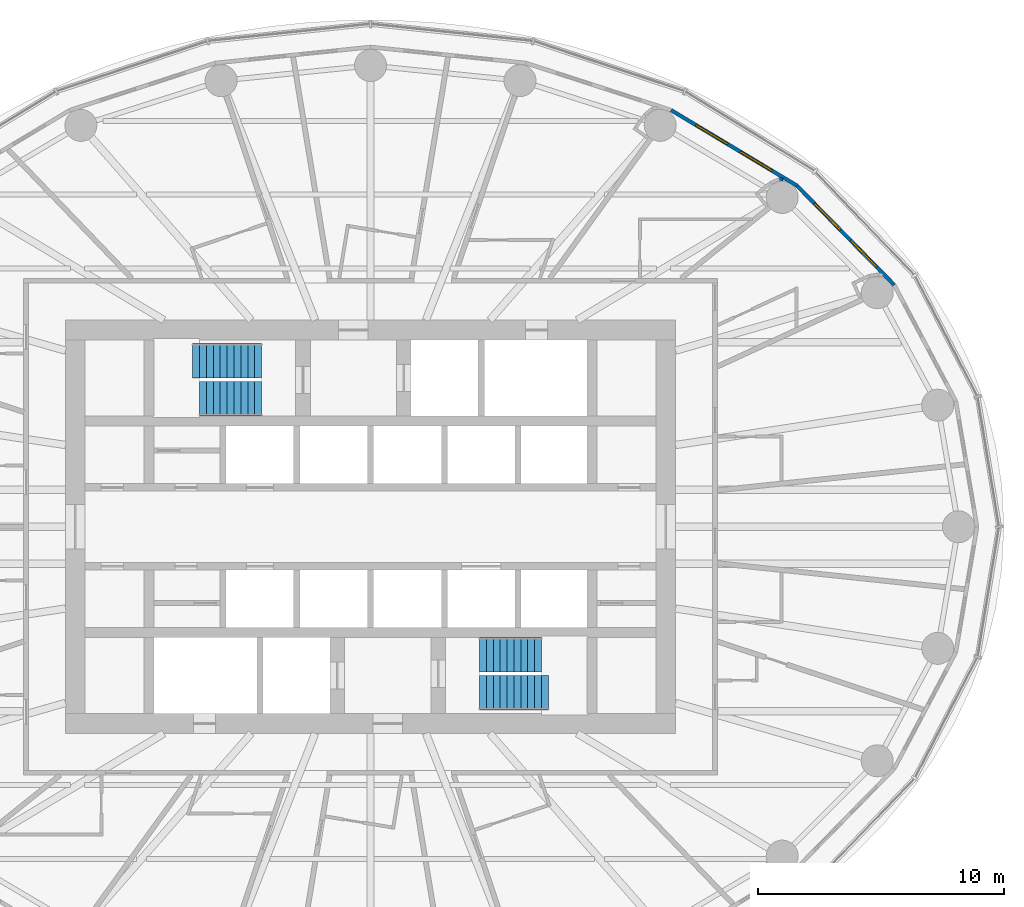
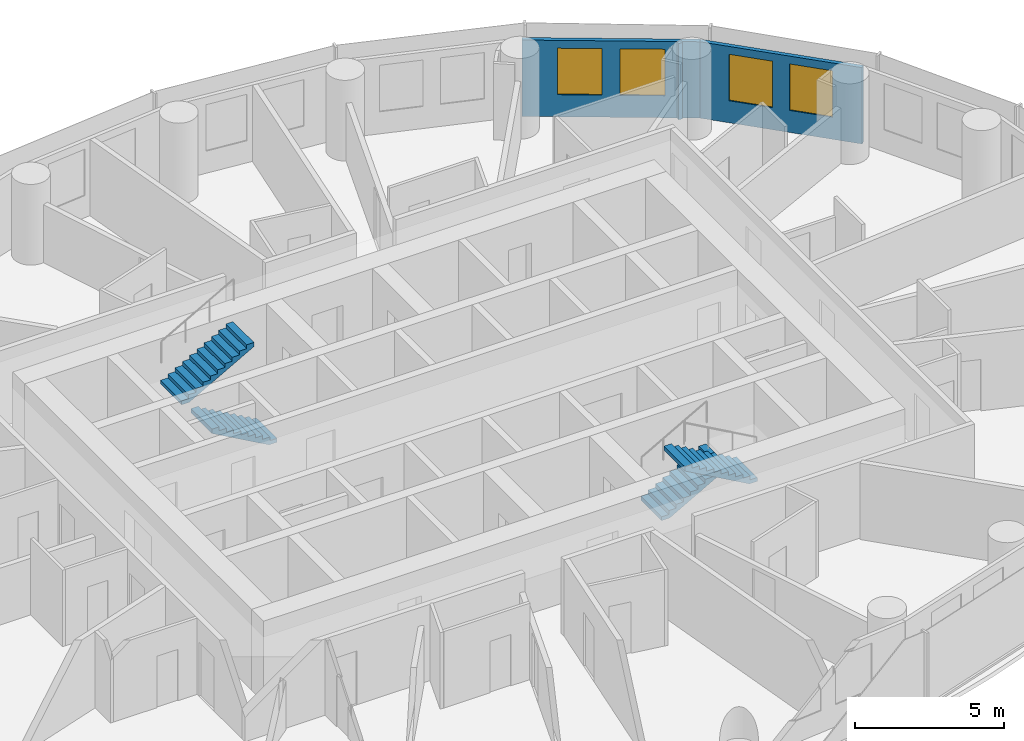
# One storey, part 12 of 13: 4 stair flights, 4 windows, 3 walls, 4 openings, 2 elements without a shape of their own.
"""IFC4 building model written with IfcOpenShell, lengths in metres."""

import ifcopenshell
import ifcopenshell.guid

model = None  # the IFC model being written
_history = None  # IfcOwnerHistory: only IFC2X3 demands one
_inside = {}  # id of a spatial element -> (the spatial element, [elements in it])
_under = {}  # id of a project, library or spatial element -> (it, [spatial elements below it])
_declared = {}  # id of a project -> (the project, [libraries it declares])
_typed = {}  # id of a type object -> (the type object, [elements of that type])
_made_of = {}  # id of a material, layer set ... -> (it, [elements and type objects made of it])


def new_model(schema):
    """Start an empty IFC model of exactly this schema.

    Asked for "IFC4X3", IfcOpenShell would pick the latest addendum, in which some entities
    have other attributes; the version numbers below select the first issue.
    IFC2X3 requires an IfcOwnerHistory on every rooted entity: one is made here for all.
    """
    global model, _history
    if schema == "IFC4X3":
        model = ifcopenshell.file(schema_version=(4, 3, 0, 0))
    else:
        model = ifcopenshell.file(schema=schema)
    _inside.clear()
    _under.clear()
    _declared.clear()
    _typed.clear()
    _made_of.clear()
    _history = None
    if model.schema == "IFC2X3":
        org = make("IfcOrganization", Name="unknown")
        user = make(
            "IfcPersonAndOrganization",
            ThePerson=make("IfcPerson", FamilyName="unknown"),
            TheOrganization=org,
        )
        app = make(
            "IfcApplication",
            ApplicationDeveloper=org,
            Version="unknown",
            ApplicationFullName="unknown",
            ApplicationIdentifier="unknown",
        )
        _history = make(
            "IfcOwnerHistory",
            OwningUser=user,
            OwningApplication=app,
            ChangeAction="ADDED",
            CreationDate=0,
        )
    return model


def make(cls, **values):
    """One entity of the class cls with the attributes given. An attribute that is None is left unset."""
    return model.create_entity(
        cls, **{name: value for name, value in values.items() if value is not None}
    )


def rooted(cls, **values):
    """An entity with a GlobalId (a new one), such as an element, a storey or a relation."""
    return make(cls, GlobalId=ifcopenshell.guid.new(), OwnerHistory=_history, **values)


def si_unit(unit_type, name, prefix=None):
    """IfcSIUnit, for example si_unit("LENGTHUNIT", "METRE", prefix="MILLI")."""
    return make("IfcSIUnit", UnitType=unit_type, Prefix=prefix, Name=name)


def assignment(units):
    """IfcUnitAssignment: the units of a project."""
    return None if units is None else make("IfcUnitAssignment", Units=units)


def point(xyz):
    """IfcCartesianPoint."""
    return None if xyz is None else make("IfcCartesianPoint", Coordinates=xyz)


def direction(xyz):
    """IfcDirection."""
    return None if xyz is None else make("IfcDirection", DirectionRatios=xyz)


def frame(location, z_axis=None, x_axis=None):
    """IfcAxis2Placement3D, a coordinate frame: its origin and axes. An axis left out is left unset."""
    return make(
        "IfcAxis2Placement3D",
        Location=point(location),
        Axis=direction(z_axis),
        RefDirection=direction(x_axis),
    )


def frame_2d(location, x_axis=None):
    """IfcAxis2Placement2D, a coordinate frame in the plane: its origin and x axis."""
    return make(
        "IfcAxis2Placement2D", Location=point(location), RefDirection=direction(x_axis)
    )


def origin():
    """The frame at (0, 0, 0) with its axes left unset."""
    return frame((0.0, 0.0, 0.0))


def place(relative_to, where):
    """IfcLocalPlacement: puts the frame where relative to a parent placement (None: the world)."""
    return make(
        "IfcLocalPlacement", PlacementRelTo=relative_to, RelativePlacement=where
    )


def context(
    kind, dimensions, precision=None, world=None, true_north=None, identifier=None
):
    """IfcGeometricRepresentationContext, for example the 3D "Model" context."""
    return make(
        "IfcGeometricRepresentationContext",
        ContextIdentifier=identifier,
        ContextType=kind,
        CoordinateSpaceDimension=dimensions,
        Precision=precision,
        WorldCoordinateSystem=world,
        TrueNorth=true_north,
    )


def subcontext(parent, identifier, kind, view, scale=None):
    """IfcGeometricRepresentationSubContext, for example "Body" below "Model"."""
    return make(
        "IfcGeometricRepresentationSubContext",
        ContextIdentifier=identifier,
        ContextType=kind,
        ParentContext=parent,
        TargetScale=scale,
        TargetView=view,
    )


def project(units=None, contexts=None):
    """IfcProject with its units and contexts."""
    return rooted(
        "IfcProject",
        Name="project",
        RepresentationContexts=contexts,
        UnitsInContext=assignment(units),
    )


def spatial(cls, under=None, at=None, **own):
    """A site, building, storey or space (cls), placed at a placement, below another one or the project."""
    s = rooted(cls, ObjectPlacement=at, **own)
    if under is not None:
        _under.setdefault(under.id(), (under, []))[1].append(s)
    return s


def polyline(points):
    """IfcPolyline through the points."""
    return make("IfcPolyline", Points=[point(p) for p in points])


def profile(cls, at=None, kind="AREA", **sizes):
    """A parametric profile (cls). Its sizes go by their IFC names, for example OverallWidth=200.0."""
    return make(cls, ProfileType=kind, Position=at, **sizes)


def rectangle(**sizes):
    """IfcRectangleProfileDef."""
    return profile("IfcRectangleProfileDef", **sizes)


def outline(outer, holes=None, kind="AREA"):
    """IfcArbitraryClosedProfileDef: a profile drawn as a closed curve; with holes, ...WithVoids."""
    if holes is None:
        return make("IfcArbitraryClosedProfileDef", ProfileType=kind, OuterCurve=outer)
    return make(
        "IfcArbitraryProfileDefWithVoids",
        ProfileType=kind,
        OuterCurve=outer,
        InnerCurves=holes,
    )


def extrude(swept, where, along, depth):
    """IfcExtrudedAreaSolid: the profile swept, set in the frame where, extruded along a direction by depth."""
    return make(
        "IfcExtrudedAreaSolid",
        SweptArea=swept,
        Position=where,
        ExtrudedDirection=direction(along),
        Depth=depth,
    )


def shape(context_of_items, identifier, shape_type, items):
    """IfcShapeRepresentation: the items that make up one representation, for example the "Body"."""
    return make(
        "IfcShapeRepresentation",
        ContextOfItems=context_of_items,
        RepresentationIdentifier=identifier,
        RepresentationType=shape_type,
        Items=items,
    )


def material(Name=None, Category=None):
    """IfcMaterial."""
    return make("IfcMaterial", Name=Name, Category=Category)


def layer(
    of_material, thickness, ventilated=None, Name=None, Category=None, Priority=None
):
    """IfcMaterialLayer: one layer of a wall or slab, of a material (None: an air gap)."""
    return make(
        "IfcMaterialLayer",
        Material=of_material,
        LayerThickness=thickness,
        IsVentilated=ventilated,
        Name=Name,
        Category=Category,
        Priority=Priority,
    )


def layer_set(layers, Name=None):
    """IfcMaterialLayerSet."""
    return make("IfcMaterialLayerSet", MaterialLayers=layers, LayerSetName=Name)


def made_of(thing, what):
    """Note that an element or type object is made of a material, layer set ...; save() writes the relation."""
    if what is not None:
        _made_of.setdefault(what.id(), (what, []))[1].append(thing)
    return thing


def type_object(cls, material=None, **own):
    """A type object (cls), such as IfcWallType, which elements share."""
    return made_of(rooted(cls, **own), material)


def element(
    cls,
    number,
    at=None,
    inside=None,
    cuts=None,
    type_object=None,
    material=None,
    context=None,
    identifier="Body",
    shape_type=None,
    held_by="IfcProductDefinitionShape",
    body=None,
    shapes=None,
    **own,
):
    """One element of the class cls, such as IfcWall. Its Tag is "e" and its number.

    at: its placement. inside: the storey or other place that contains it. cuts: it is an
    opening in that element (IfcRelVoidsElement). A single representation is given by context,
    identifier, shape_type and body (its items); several are given by shapes. held_by: the class
    of the entity that holds the representations. save() writes the other relations.
    """
    e = rooted(cls, Tag="e%d" % number, ObjectPlacement=at, **own)
    if body is not None:
        shapes = [shape(context, identifier, shape_type, body)]
    if shapes is not None:
        e.Representation = make(held_by, Representations=shapes)
    if inside is not None:
        _inside.setdefault(inside.id(), (inside, []))[1].append(e)
    if cuts is not None:
        rooted(
            "IfcRelVoidsElement", RelatingBuildingElement=cuts, RelatedOpeningElement=e
        )
    if type_object is not None:
        _typed.setdefault(type_object.id(), (type_object, []))[1].append(e)
    return made_of(e, material)


def fill(opening, filler):
    """IfcRelFillsElement: the door or window that sits in an opening."""
    return rooted(
        "IfcRelFillsElement",
        RelatingOpeningElement=opening,
        RelatedBuildingElement=filler,
    )


def aggregate(whole, parts):
    """IfcRelAggregates: a whole, such as a stair, and the parts it consists of."""
    return rooted("IfcRelAggregates", RelatingObject=whole, RelatedObjects=parts)


def save(model, path):
    """Write the relations noted so far, then the file.

    IfcRelAggregates (storeys below a building ...), IfcRelContainedInSpatialStructure (elements
    in a storey), IfcRelDefinesByType, IfcRelAssociatesMaterial and IfcRelDeclares: one each for
    every whole, place, type object, material and project.
    """
    for whole, parts in _under.values():
        aggregate(whole, parts)
    for where, things in _inside.values():
        rooted(
            "IfcRelContainedInSpatialStructure",
            RelatedElements=things,
            RelatingStructure=where,
        )
    for kind, things in _typed.values():
        rooted("IfcRelDefinesByType", RelatedObjects=things, RelatingType=kind)
    for what, things in _made_of.values():
        rooted("IfcRelAssociatesMaterial", RelatedObjects=things, RelatingMaterial=what)
    for by, libraries in _declared.values():
        rooted("IfcRelDeclares", RelatingContext=by, RelatedDefinitions=libraries)
    model.write(path)


model = new_model("IFC4")

# Units and contexts
model_context = context("Model", 3, precision=1e-05, world=origin(), true_north=direction((0.0, 1.0)))
body_context = subcontext(model_context, "Body", "Model", "MODEL_VIEW")
ifc_project = project(units=[si_unit("LENGTHUNIT", "METRE"), si_unit("AREAUNIT", "SQUARE_METRE"), si_unit("VOLUMEUNIT", "CUBIC_METRE"), si_unit("PLANEANGLEUNIT", "RADIAN"), si_unit("MASSUNIT", "GRAM", prefix="KILO")], contexts=[model_context])

# Site, building, storey
site_placement = place(None, origin())
site = spatial("IfcSite", under=ifc_project, at=site_placement, CompositionType="ELEMENT")
building_placement = place(site_placement, origin())
building = spatial("IfcBuilding", under=site, at=building_placement, Name="Hankou Lantern Tower", CompositionType="ELEMENT")
storey_placement = place(building_placement, frame((0.0, 0.0, 122.10009765625)))
storey = spatial("IfcBuildingStorey", under=building, at=storey_placement, Name="L31", CompositionType="ELEMENT", Elevation=122.10009765625)

# Wall, openings, windows
ifc_material_1 = material(Name="Aluminium spandrel panel on steel studs", Category="steel")
ifc_layer_1 = layer(ifc_material_1, 0.14990234375)
ifc_layer_set_1 = layer_set([ifc_layer_1], Name="Aluminium spandrel panel on steel studs")
wall_type_1 = type_object("IfcWallType", Name="EW1 INNER SKIN WALL 150", PredefinedType="ELEMENTEDWALL", material=ifc_layer_set_1)
wall_1_placement = place(storey_placement, frame((21.287353515625, 9.83203125, 0.0), z_axis=(0.0, 0.0, 1.0), x_axis=(-0.700136650834, 0.714008872605, 0.0)))
wall_1 = element("IfcWall", 1, at=wall_1_placement, inside=storey, type_object=wall_type_1, Name="Inner skin R03-R04 L31", PredefinedType="ELEMENTEDWALL", context=body_context, shape_type="SweptSolid", body=[
    extrude(rectangle(XDim=5.6494140625, YDim=0.14990234375, at=frame_2d((2.82470703125, 0.0))), origin(), (0.0, 0.0, 1.0), 3.119873046875),
])
opening_1_placement = place(wall_1_placement, frame((1.024658203125, 0.0, 0.89990234375)))
opening_1 = element("IfcOpeningElement", 2, at=opening_1_placement, cuts=wall_1, Name="Opening W2", PredefinedType="OPENING", context=body_context, shape_type="SweptSolid", body=[
    extrude(rectangle(XDim=1.5, YDim=1.89990234375, at=frame_2d((0.75, 0.949951171875))), frame((0.0, 0.0849609375, 0.0), z_axis=(0.0, -1.0, 0.0), x_axis=(1.0, 0.0, 0.0)), (0.0, 0.0, 1.0), 0.169921875),
])
opening_2_placement = place(wall_1_placement, frame((3.12451171875, 0.0, 0.89990234375)))
opening_2 = element("IfcOpeningElement", 3, at=opening_2_placement, cuts=wall_1, Name="Opening W2", PredefinedType="OPENING", context=body_context, shape_type="SweptSolid", body=[
    extrude(rectangle(XDim=1.5, YDim=1.89990234375, at=frame_2d((0.75, 0.949951171875))), frame((0.0, 0.0849609375, 0.0), z_axis=(0.0, -1.0, 0.0), x_axis=(1.0, 0.0, 0.0)), (0.0, 0.0, 1.0), 0.169921875),
])
ifc_material_2 = material(Name="Aluminium framed double glazed window", Category="aluminium")
window_type = type_object("IfcWindowType", Name="W2 GUEST ROOM WINDOW 1500X1900", PartitioningType="DOUBLE_PANEL_VERTICAL", PredefinedType="WINDOW", material=ifc_material_2)
window_1_placement = place(opening_1_placement, origin())
window_1 = element("IfcWindow", 4, at=window_1_placement, inside=storey, type_object=window_type, Name="Window R03.1 L31", OverallHeight=1.89990234375, OverallWidth=1.5, PartitioningType="SINGLE_PANEL", PredefinedType="WINDOW", context=body_context, shape_type="SweptSolid", body=[
    extrude(rectangle(XDim=1.5, YDim=1.89990234375, at=frame_2d((0.75, 0.949951171875))), frame((0.0, 0.030029296875, 0.0), z_axis=(0.0, -1.0, 0.0), x_axis=(1.0, 0.0, 0.0)), (0.0, 0.0, 1.0), 0.06005859375),
])
fill(opening_1, window_1)
window_2_placement = place(opening_2_placement, origin())
window_2 = element("IfcWindow", 5, at=window_2_placement, inside=storey, type_object=window_type, Name="Window R03.2 L31", OverallHeight=1.89990234375, OverallWidth=1.5, PartitioningType="SINGLE_PANEL", PredefinedType="WINDOW", context=body_context, shape_type="SweptSolid", body=[
    extrude(rectangle(XDim=1.5, YDim=1.89990234375, at=frame_2d((0.75, 0.949951171875))), frame((0.0, 0.030029296875, 0.0), z_axis=(0.0, -1.0, 0.0), x_axis=(1.0, 0.0, 0.0)), (0.0, 0.0, 1.0), 0.06005859375),
])
fill(opening_2, window_2)

wall_2_placement = place(storey_placement, frame((17.33203125, 13.86572265625, 0.0), z_axis=(0.0, 0.0, 1.0), x_axis=(-0.857308573723, 0.514802884044, 0.0)))
wall_2 = element("IfcWall", 6, at=wall_2_placement, inside=storey, type_object=wall_type_1, Name="Inner skin R04-R05 L31", PredefinedType="ELEMENTEDWALL", context=body_context, shape_type="SweptSolid", body=[
    extrude(rectangle(XDim=5.961181640625, YDim=0.14990234375, at=frame_2d((2.98046875, 0.0))), origin(), (0.0, 0.0, 1.0), 3.119873046875),
])
opening_3_placement = place(wall_2_placement, frame((1.1806640625, 0.0, 0.89990234375)))
opening_3 = element("IfcOpeningElement", 7, at=opening_3_placement, cuts=wall_2, Name="Opening W2", PredefinedType="OPENING", context=body_context, shape_type="SweptSolid", body=[
    extrude(rectangle(XDim=1.5, YDim=1.89990234375, at=frame_2d((0.75, 0.949951171875))), frame((0.0, 0.0849609375, 0.0), z_axis=(0.0, -1.0, 0.0), x_axis=(1.0, 0.0, 0.0)), (0.0, 0.0, 1.0), 0.169921875),
])
opening_4_placement = place(wall_2_placement, frame((3.280517578125, 0.0, 0.89990234375)))
opening_4 = element("IfcOpeningElement", 8, at=opening_4_placement, cuts=wall_2, Name="Opening W2", PredefinedType="OPENING", context=body_context, shape_type="SweptSolid", body=[
    extrude(rectangle(XDim=1.5, YDim=1.89990234375, at=frame_2d((0.75, 0.949951171875))), frame((0.0, 0.0849609375, 0.0), z_axis=(0.0, -1.0, 0.0), x_axis=(1.0, 0.0, 0.0)), (0.0, 0.0, 1.0), 0.169921875),
])
window_3_placement = place(opening_3_placement, origin())
window_3 = element("IfcWindow", 9, at=window_3_placement, inside=storey, type_object=window_type, Name="Window R04.1 L31", OverallHeight=1.89990234375, OverallWidth=1.5, PartitioningType="SINGLE_PANEL", PredefinedType="WINDOW", context=body_context, shape_type="SweptSolid", body=[
    extrude(rectangle(XDim=1.5, YDim=1.89990234375, at=frame_2d((0.75, 0.949951171875))), frame((0.0, 0.030029296875, 0.0), z_axis=(0.0, -1.0, 0.0), x_axis=(1.0, 0.0, 0.0)), (0.0, 0.0, 1.0), 0.06005859375),
])
fill(opening_3, window_3)
window_4_placement = place(opening_4_placement, origin())
window_4 = element("IfcWindow", 10, at=window_4_placement, inside=storey, type_object=window_type, Name="Window R04.2 L31", OverallHeight=1.89990234375, OverallWidth=1.5, PartitioningType="SINGLE_PANEL", PredefinedType="WINDOW", context=body_context, shape_type="SweptSolid", body=[
    extrude(rectangle(XDim=1.5, YDim=1.89990234375, at=frame_2d((0.75, 0.949951171875))), frame((0.0, 0.030029296875, 0.0), z_axis=(0.0, -1.0, 0.0), x_axis=(1.0, 0.0, 0.0)), (0.0, 0.0, 1.0), 0.06005859375),
])
fill(opening_4, window_4)

# Wall
ifc_material_3 = material(Name="Masonry lightweight concrete block", Category="masonry")
ifc_layer_2 = layer(ifc_material_3, 0.1201171875)
ifc_layer_set_2 = layer_set([ifc_layer_2], Name="Masonry lightweight concrete block")
wall_type_2 = type_object("IfcWallType", Name="IW4 PARTITION 120", PredefinedType="PARTITIONING", material=ifc_layer_set_2)
wall_3_placement = place(storey_placement, frame((16.6201171875, 14.13427734375, 0.0), z_axis=(0.0, 0.0, 1.0), x_axis=(0.993941871493, -0.109907033867, 0.0)))
element("IfcWall", 11, at=wall_3_placement, inside=storey, type_object=wall_type_2, Name="Column casing R04", PredefinedType="PARTITIONING", context=body_context, shape_type="SweptSolid", body=[
    extrude(rectangle(XDim=0.1533203125, YDim=0.1201171875, at=frame_2d((0.07666015625, 0.0))), origin(), (0.0, 0.0, 1.0), 3.119873046875),
])

# Stair, stair flight
ifc_material_4 = material(Name="Concrete C40", Category="concrete")
stair_type = type_object("IfcStairType", Name="ST33 CORE STAIR 3300 RISE", PredefinedType="HALF_TURN_STAIR", material=ifc_material_4)
stair_1_placement = place(storey_placement, origin())
stair_1 = element("IfcStair", 12, at=stair_1_placement, inside=storey, type_object=stair_type, Name="Stair STA L31", PredefinedType="HALF_TURN_STAIR")
ifc_material_5 = material(Name="Concrete C40", Category="concrete")
stair_flight_type_1 = type_object("IfcStairFlightType", Name="CF10 CORE STAIR FLIGHT 1400 X 10 RISERS", PredefinedType="STRAIGHT", material=ifc_material_5)
stair_flight_1_placement = place(storey_placement, frame((-4.429931640625, 5.199951171875, 0.0), z_axis=(0.0, 0.0, 1.0), x_axis=(-1.0, 0.0, 0.0)))
stair_flight_1 = element("IfcStairFlight", 13, at=stair_flight_1_placement, type_object=stair_flight_type_1, Name="STA flight 1", NumberOfRisers=10, NumberOfTreads=9, PredefinedType="STRAIGHT", RiserHeight=0.157142857, TreadLength=0.28, context=body_context, shape_type="SweptSolid", body=[
    extrude(outline(polyline([(0.0, 0.0), (0.0, 0.1572265625), (0.280029296875, 0.1572265625), (0.280029296875, 0.314208984375), (0.56005859375, 0.314208984375), (0.56005859375, 0.471435546875), (0.840087890625, 0.471435546875), (0.840087890625, 0.628662109375), (1.1201171875, 0.628662109375), (1.1201171875, 0.78564453125), (1.39990234375, 0.78564453125), (1.39990234375, 0.94287109375), (1.679931640625, 0.94287109375), (1.679931640625, 1.10009765625), (1.9599609375, 1.10009765625), (1.9599609375, 1.257080078125), (2.239990234375, 1.257080078125), (2.239990234375, 1.414306640625), (2.52001953125, 1.414306640625), (2.52001953125, 1.571533203125), (2.52001953125, 1.242431640625), (0.306396484375, 0.0), (0.0, 0.0)])), frame((0.0, 0.699951171875, 0.0), z_axis=(0.0, -1.0, 0.0), x_axis=(1.0, 0.0, 0.0)), (0.0, 0.0, 1.0), 1.39990234375),
])

stair_2_placement = place(storey_placement, origin())
stair_2 = element("IfcStair", 14, at=stair_2_placement, inside=storey, type_object=stair_type, Name="Stair STB L31", PredefinedType="HALF_TURN_STAIR")
stair_flight_2_placement = place(storey_placement, frame((4.429931640625, -5.199951171875, 0.0), z_axis=(0.0, 0.0, 1.0), x_axis=(1.0, 0.0, 0.0)))
stair_flight_2 = element("IfcStairFlight", 15, at=stair_flight_2_placement, type_object=stair_flight_type_1, Name="STB flight 1", NumberOfRisers=10, NumberOfTreads=9, PredefinedType="STRAIGHT", RiserHeight=0.157142857, TreadLength=0.28, context=body_context, shape_type="SweptSolid", body=[
    extrude(outline(polyline([(0.0, 0.0), (0.0, 0.1572265625), (0.280029296875, 0.1572265625), (0.280029296875, 0.314208984375), (0.56005859375, 0.314208984375), (0.56005859375, 0.471435546875), (0.840087890625, 0.471435546875), (0.840087890625, 0.628662109375), (1.1201171875, 0.628662109375), (1.1201171875, 0.78564453125), (1.39990234375, 0.78564453125), (1.39990234375, 0.94287109375), (1.679931640625, 0.94287109375), (1.679931640625, 1.10009765625), (1.9599609375, 1.10009765625), (1.9599609375, 1.257080078125), (2.239990234375, 1.257080078125), (2.239990234375, 1.414306640625), (2.52001953125, 1.414306640625), (2.52001953125, 1.571533203125), (2.52001953125, 1.242431640625), (0.306396484375, 0.0), (0.0, 0.0)])), frame((0.0, 0.699951171875, 0.0), z_axis=(0.0, -1.0, 0.0), x_axis=(1.0, 0.0, 0.0)), (0.0, 0.0, 1.0), 1.39990234375),
])

# Stair flight
ifc_material_6 = material(Name="Concrete C40", Category="concrete")
stair_flight_type_2 = type_object("IfcStairFlightType", Name="CF11 CORE STAIR FLIGHT 1400 X 11 RISERS", PredefinedType="STRAIGHT", material=ifc_material_6)
stair_flight_3_placement = place(storey_placement, frame((-7.22998046875, 6.75, 1.5712890625), z_axis=(0.0, 0.0, 1.0), x_axis=(1.0, 0.0, 0.0)))
stair_flight_3 = element("IfcStairFlight", 16, at=stair_flight_3_placement, type_object=stair_flight_type_2, Name="STA flight 2", NumberOfRisers=11, NumberOfTreads=10, PredefinedType="STRAIGHT", RiserHeight=0.157142857, TreadLength=0.28, context=body_context, shape_type="SweptSolid", body=[
    extrude(outline(polyline([(0.0, 0.0), (0.0, 0.1572265625), (0.280029296875, 0.1572265625), (0.280029296875, 0.314208984375), (0.56005859375, 0.314208984375), (0.56005859375, 0.471435546875), (0.840087890625, 0.471435546875), (0.840087890625, 0.628662109375), (1.1201171875, 0.628662109375), (1.1201171875, 0.78564453125), (1.39990234375, 0.78564453125), (1.39990234375, 0.94287109375), (1.679931640625, 0.94287109375), (1.679931640625, 1.10009765625), (1.9599609375, 1.10009765625), (1.9599609375, 1.257080078125), (2.239990234375, 1.257080078125), (2.239990234375, 1.414306640625), (2.52001953125, 1.414306640625), (2.52001953125, 1.571533203125), (2.800048828125, 1.571533203125), (2.800048828125, 1.728515625), (2.800048828125, 1.3994140625), (0.306396484375, 0.0), (0.0, 0.0)])), frame((0.0, 0.699951171875, 0.0), z_axis=(0.0, -1.0, 0.0), x_axis=(1.0, 0.0, 0.0)), (0.0, 0.0, 1.0), 1.39990234375),
])

aggregate(stair_1, [stair_flight_1, stair_flight_3])

stair_flight_4_placement = place(storey_placement, frame((7.22998046875, -6.75, 1.5712890625), z_axis=(0.0, 0.0, 1.0), x_axis=(-1.0, 0.0, 0.0)))
stair_flight_4 = element("IfcStairFlight", 17, at=stair_flight_4_placement, type_object=stair_flight_type_2, Name="STB flight 2", NumberOfRisers=11, NumberOfTreads=10, PredefinedType="STRAIGHT", RiserHeight=0.157142857, TreadLength=0.28, context=body_context, shape_type="SweptSolid", body=[
    extrude(outline(polyline([(0.0, 0.0), (0.0, 0.1572265625), (0.280029296875, 0.1572265625), (0.280029296875, 0.314208984375), (0.56005859375, 0.314208984375), (0.56005859375, 0.471435546875), (0.840087890625, 0.471435546875), (0.840087890625, 0.628662109375), (1.1201171875, 0.628662109375), (1.1201171875, 0.78564453125), (1.39990234375, 0.78564453125), (1.39990234375, 0.94287109375), (1.679931640625, 0.94287109375), (1.679931640625, 1.10009765625), (1.9599609375, 1.10009765625), (1.9599609375, 1.257080078125), (2.239990234375, 1.257080078125), (2.239990234375, 1.414306640625), (2.52001953125, 1.414306640625), (2.52001953125, 1.571533203125), (2.800048828125, 1.571533203125), (2.800048828125, 1.728515625), (2.800048828125, 1.3994140625), (0.306396484375, 0.0), (0.0, 0.0)])), frame((0.0, 0.699951171875, 0.0), z_axis=(0.0, -1.0, 0.0), x_axis=(1.0, 0.0, 0.0)), (0.0, 0.0, 1.0), 1.39990234375),
])

aggregate(stair_2, [stair_flight_2, stair_flight_4])

save(model, "model.ifc")
